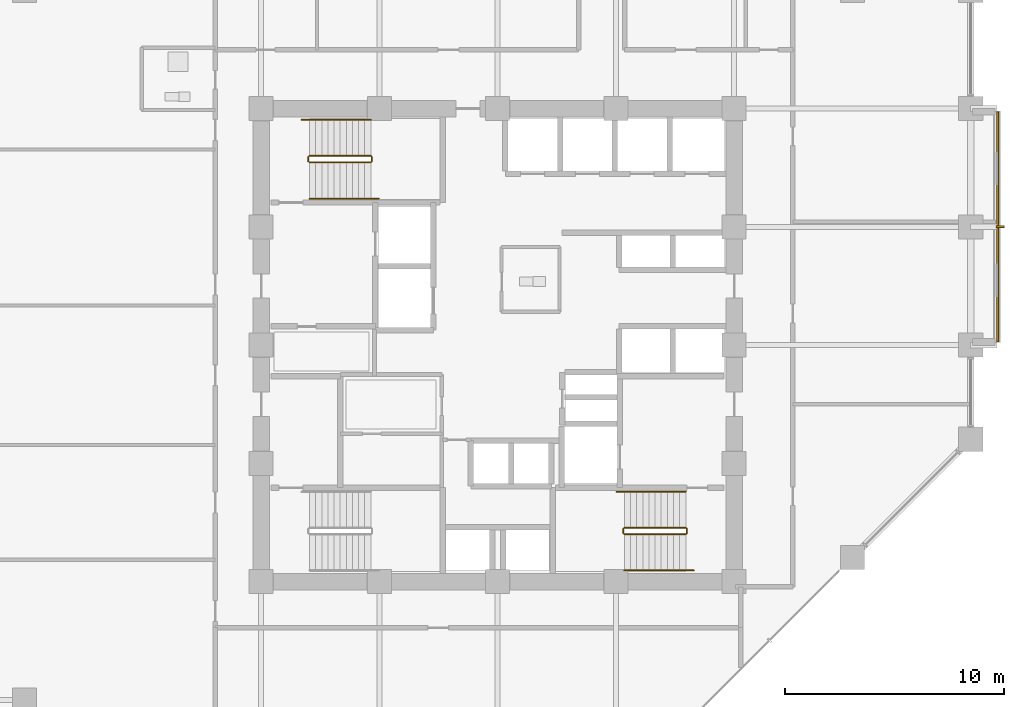
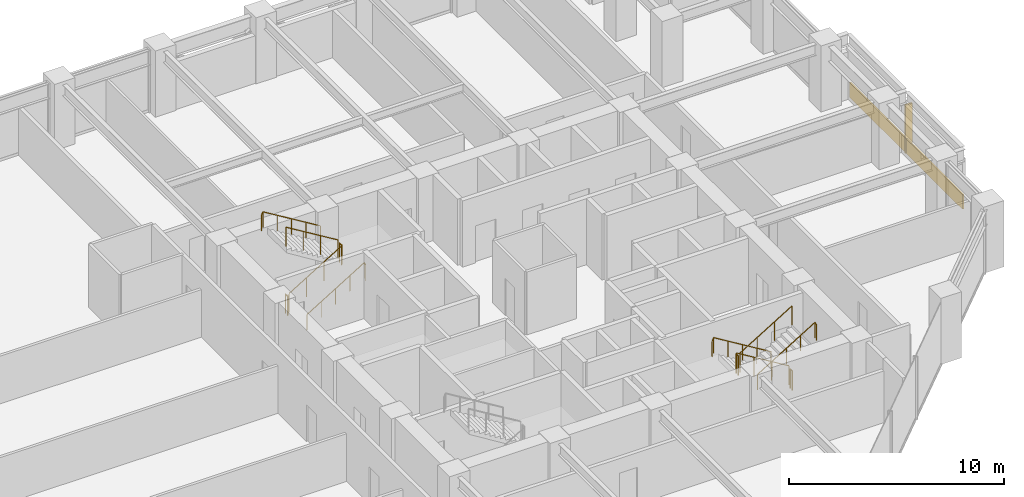
# One storey, part 24 of 25: 12 railings, 1 covering, 1 shading device.
"""IFC4 building model written with IfcOpenShell, lengths in metres."""

from ifc_helpers import new_model, si_unit, direction, frame, origin, origin_2d, place, context, subcontext, project, spatial, rectangle, circle, extrude, material, layer, layer_set, type_object, element, save


model = new_model("IFC4")

# Units and contexts
model_context = context("Model", 3, precision=1e-05, world=origin(), true_north=direction((0.0, 1.0)))
body_context = subcontext(model_context, "Body", "Model", "MODEL_VIEW")
ifc_project = project(units=[si_unit("LENGTHUNIT", "METRE"), si_unit("AREAUNIT", "SQUARE_METRE"), si_unit("VOLUMEUNIT", "CUBIC_METRE"), si_unit("PLANEANGLEUNIT", "RADIAN"), si_unit("MASSUNIT", "GRAM", prefix="KILO")], contexts=[model_context])

# Site, building, storey
site_placement = place(None, origin())
site = spatial("IfcSite", under=ifc_project, at=site_placement, CompositionType="ELEMENT")
building_placement = place(site_placement, origin())
building = spatial("IfcBuilding", under=site, at=building_placement, Name="Surkhivell Harbour Commons", CompositionType="ELEMENT")
storey_placement = place(building_placement, frame((0.0, 0.0, 98.25)))
storey = spatial("IfcBuildingStorey", under=building, at=storey_placement, Name="L25", CompositionType="ELEMENT", Elevation=98.25)

# Covering
ifc_material_1 = material(Name="Emerald-teal enamelled aluminium cassette panel", Category="aluminium")
ifc_layer = layer(ifc_material_1, 0.068115234375)
ifc_layer_set = layer_set([ifc_layer], Name="Emerald-teal enamelled aluminium cassette panel")
covering_type = type_object("IfcCoveringType", Name="COV-CLAD-EME", PredefinedType="CLADDING", material=ifc_layer_set)
covering_placement = place(storey_placement, frame((22.840087890625, 5.39990234375, 0.0), z_axis=(0.0, 0.0, 1.0), x_axis=(1.0, 0.0, 0.0)))
element("IfcCovering", 1, at=covering_placement, inside=storey, type_object=covering_type, Name="L25 Coloured-Panel Box Spandrel Cassette 01", PredefinedType="CLADDING", context=body_context, shape_type="SweptSolid", body=[
    extrude(rectangle(XDim=0.080078125, YDim=10.5, at=origin_2d()), origin(), (0.0, 0.0, 1.0), 0.840087890625),
])

# Railings
ifc_material_2 = material(Name="Galvanised and painted steel S355 guard rail", Category="steel")
railing_type_1 = type_object("IfcRailingType", Name="RAL-ST-GRD1100", PredefinedType="GUARDRAIL", material=ifc_material_2)
railing_1_placement = place(storey_placement, frame((-8.590087890625, 8.340087890625, 0.17041015625)))
element("IfcRailing", 2, at=railing_1_placement, inside=storey, type_object=railing_type_1, Name="L25 ST1 stair guard 1", PredefinedType="GUARDRAIL", context=body_context, shape_type="SweptSolid", body=[
    extrude(circle(Radius=0.02392578125, at=origin_2d()), frame((0.0, 0.0, 1.076171875), z_axis=(0.854169791009, 0.0, 0.51999420009), x_axis=(0.0, 1.0, 0.0)), (0.0, 0.0, 1.0), 3.278076171875),
    extrude(circle(Radius=0.02099609375, at=origin_2d()), origin(), (0.0, 0.0, 1.0), 1.052001953125),
    extrude(circle(Radius=0.02099609375, at=origin_2d()), frame((0.933349609375, 0.0, 0.568115234375)), (0.0, 0.0, 1.0), 1.052001953125),
    extrude(circle(Radius=0.02099609375, at=origin_2d()), frame((1.86669921875, 0.0, 1.136474609375)), (0.0, 0.0, 1.0), 1.052001953125),
    extrude(circle(Radius=0.02099609375, at=origin_2d()), frame((2.800048828125, 0.0, 1.70458984375)), (0.0, 0.0, 1.0), 1.052001953125),
])
railing_2_placement = place(storey_placement, frame((-5.739990234375, 8.389892578125, 1.875)))
element("IfcRailing", 3, at=railing_2_placement, inside=storey, type_object=railing_type_1, Name="L25 ST1 stair guard 2", PredefinedType="GUARDRAIL", context=body_context, shape_type="SweptSolid", body=[
    extrude(circle(Radius=0.02392578125, at=origin_2d()), frame((0.0, 0.0, 1.076171875), z_axis=(0.0, 1.0, 0.0), x_axis=(-1.0, 0.0, 0.0)), (0.0, 0.0, 1.0), 0.2001953125),
    extrude(circle(Radius=0.02099609375, at=origin_2d()), origin(), (0.0, 0.0, 1.0), 1.052001953125),
    extrude(circle(Radius=0.02099609375, at=origin_2d()), frame((0.0, 0.2001953125, 0.0)), (0.0, 0.0, 1.0), 1.052001953125),
])
railing_3_placement = place(storey_placement, frame((-5.7900390625, 8.639892578125, 2.04541015625)))
element("IfcRailing", 4, at=railing_3_placement, inside=storey, type_object=railing_type_1, Name="L25 ST1 stair guard 3", PredefinedType="GUARDRAIL", context=body_context, shape_type="SweptSolid", body=[
    extrude(circle(Radius=0.02392578125, at=origin_2d()), frame((0.0, 0.0, 1.076171875), z_axis=(-0.854169791009, 0.0, 0.51999420009), x_axis=(0.0, -1.0, 0.0)), (0.0, 0.0, 1.0), 3.278076171875),
    extrude(circle(Radius=0.02099609375, at=origin_2d()), origin(), (0.0, 0.0, 1.0), 1.052001953125),
    extrude(circle(Radius=0.02099609375, at=origin_2d()), frame((-0.933349609375, 0.0, 0.568115234375)), (0.0, 0.0, 1.0), 1.052001953125),
    extrude(circle(Radius=0.02099609375, at=origin_2d()), frame((-1.86669921875, 0.0, 1.136474609375)), (0.0, 0.0, 1.0), 1.052001953125),
    extrude(circle(Radius=0.02099609375, at=origin_2d()), frame((-2.800048828125, 0.0, 1.70458984375)), (0.0, 0.0, 1.0), 1.052001953125),
])
railing_4_placement = place(storey_placement, frame((-8.639892578125, 8.389892578125, 0.0)))
element("IfcRailing", 5, at=railing_4_placement, inside=storey, type_object=railing_type_1, Name="L25 ST1 stair guard 4", PredefinedType="GUARDRAIL", context=body_context, shape_type="SweptSolid", body=[
    extrude(circle(Radius=0.02392578125, at=origin_2d()), frame((0.0, 0.0, 1.076171875), z_axis=(0.0, 1.0, 0.0), x_axis=(-1.0, 0.0, 0.0)), (0.0, 0.0, 1.0), 0.2001953125),
    extrude(circle(Radius=0.02099609375, at=origin_2d()), origin(), (0.0, 0.0, 1.0), 1.052001953125),
    extrude(circle(Radius=0.02099609375, at=origin_2d()), frame((0.0, 0.2001953125, 0.0)), (0.0, 0.0, 1.0), 1.052001953125),
])
railing_5_placement = place(storey_placement, frame((8.590087890625, -8.340087890625, 0.17041015625)))
element("IfcRailing", 6, at=railing_5_placement, inside=storey, type_object=railing_type_1, Name="L25 ST2 stair guard 1", PredefinedType="GUARDRAIL", context=body_context, shape_type="SweptSolid", body=[
    extrude(circle(Radius=0.02392578125, at=origin_2d()), frame((0.0, 0.0, 1.076171875), z_axis=(-0.854169791009, 0.0, 0.51999420009), x_axis=(0.0, -1.0, 0.0)), (0.0, 0.0, 1.0), 3.278076171875),
    extrude(circle(Radius=0.02099609375, at=origin_2d()), origin(), (0.0, 0.0, 1.0), 1.052001953125),
    extrude(circle(Radius=0.02099609375, at=origin_2d()), frame((-0.933349609375, 0.0, 0.568115234375)), (0.0, 0.0, 1.0), 1.052001953125),
    extrude(circle(Radius=0.02099609375, at=origin_2d()), frame((-1.86669921875, 0.0, 1.136474609375)), (0.0, 0.0, 1.0), 1.052001953125),
    extrude(circle(Radius=0.02099609375, at=origin_2d()), frame((-2.800048828125, 0.0, 1.70458984375)), (0.0, 0.0, 1.0), 1.052001953125),
])
railing_6_placement = place(storey_placement, frame((5.739990234375, -8.389892578125, 1.875)))
element("IfcRailing", 7, at=railing_6_placement, inside=storey, type_object=railing_type_1, Name="L25 ST2 stair guard 2", PredefinedType="GUARDRAIL", context=body_context, shape_type="SweptSolid", body=[
    extrude(circle(Radius=0.02392578125, at=origin_2d()), frame((0.0, 0.0, 1.076171875), z_axis=(0.0, -1.0, 0.0), x_axis=(1.0, 0.0, 0.0)), (0.0, 0.0, 1.0), 0.2001953125),
    extrude(circle(Radius=0.02099609375, at=origin_2d()), origin(), (0.0, 0.0, 1.0), 1.052001953125),
    extrude(circle(Radius=0.02099609375, at=origin_2d()), frame((0.0, -0.2001953125, 0.0)), (0.0, 0.0, 1.0), 1.052001953125),
])
railing_7_placement = place(storey_placement, frame((5.7900390625, -8.639892578125, 2.04541015625)))
element("IfcRailing", 8, at=railing_7_placement, inside=storey, type_object=railing_type_1, Name="L25 ST2 stair guard 3", PredefinedType="GUARDRAIL", context=body_context, shape_type="SweptSolid", body=[
    extrude(circle(Radius=0.02392578125, at=origin_2d()), frame((0.0, 0.0, 1.076171875), z_axis=(0.854169791009, 0.0, 0.51999420009), x_axis=(0.0, 1.0, 0.0)), (0.0, 0.0, 1.0), 3.278076171875),
    extrude(circle(Radius=0.02099609375, at=origin_2d()), origin(), (0.0, 0.0, 1.0), 1.052001953125),
    extrude(circle(Radius=0.02099609375, at=origin_2d()), frame((0.933349609375, 0.0, 0.568115234375)), (0.0, 0.0, 1.0), 1.052001953125),
    extrude(circle(Radius=0.02099609375, at=origin_2d()), frame((1.86669921875, 0.0, 1.136474609375)), (0.0, 0.0, 1.0), 1.052001953125),
    extrude(circle(Radius=0.02099609375, at=origin_2d()), frame((2.800048828125, 0.0, 1.70458984375)), (0.0, 0.0, 1.0), 1.052001953125),
])
railing_8_placement = place(storey_placement, frame((8.639892578125, -8.389892578125, 0.0)))
element("IfcRailing", 9, at=railing_8_placement, inside=storey, type_object=railing_type_1, Name="L25 ST2 stair guard 4", PredefinedType="GUARDRAIL", context=body_context, shape_type="SweptSolid", body=[
    extrude(circle(Radius=0.02392578125, at=origin_2d()), frame((0.0, 0.0, 1.076171875), z_axis=(0.0, -1.0, 0.0), x_axis=(1.0, 0.0, 0.0)), (0.0, 0.0, 1.0), 0.2001953125),
    extrude(circle(Radius=0.02099609375, at=origin_2d()), origin(), (0.0, 0.0, 1.0), 1.052001953125),
    extrude(circle(Radius=0.02099609375, at=origin_2d()), frame((0.0, -0.2001953125, 0.0)), (0.0, 0.0, 1.0), 1.052001953125),
])
ifc_material_3 = material(Name="Brushed stainless steel S355 handrail", Category="steel")
railing_type_2 = type_object("IfcRailingType", Name="RAL-ST-HND900", PredefinedType="HANDRAIL", material=ifc_material_3)
railing_9_placement = place(storey_placement, frame((-8.590087890625, 6.68994140625, 0.17041015625)))
element("IfcRailing", 10, at=railing_9_placement, inside=storey, type_object=railing_type_2, Name="L25 ST1 stair handrail 1", PredefinedType="HANDRAIL", context=body_context, shape_type="SweptSolid", body=[
    extrude(circle(Radius=0.02392578125, at=origin_2d()), frame((0.0, 0.0, 0.8759765625), z_axis=(0.854177636135, 0.0, 0.519981313056), x_axis=(0.0, 1.0, 0.0)), (0.0, 0.0, 1.0), 3.60595703125),
    extrude(circle(Radius=0.02392578125, at=origin_2d()), frame((3.080078125, 0.0, 2.7509765625), z_axis=(0.425297416671, 0.0, -0.905053648892), x_axis=(0.0, 1.0, 0.0)), (0.0, 0.0, 1.0), 0.188232421875),
    extrude(circle(Radius=0.02099609375, at=origin_2d()), origin(), (0.0, 0.0, 1.0), 0.851806640625),
    extrude(circle(Radius=0.02099609375, at=origin_2d()), frame((0.77001953125, 0.0, 0.46875)), (0.0, 0.0, 1.0), 0.851806640625),
    extrude(circle(Radius=0.02099609375, at=origin_2d()), frame((1.5400390625, 0.0, 0.9375)), (0.0, 0.0, 1.0), 0.851806640625),
    extrude(circle(Radius=0.02099609375, at=origin_2d()), frame((2.31005859375, 0.0, 1.40625)), (0.0, 0.0, 1.0), 0.851806640625),
    extrude(circle(Radius=0.02099609375, at=origin_2d()), frame((3.080078125, 0.0, 1.875)), (0.0, 0.0, 1.0), 0.851806640625),
    extrude(circle(Radius=0.02099609375, at=origin_2d()), frame((3.16015625, 0.0, 1.70458984375)), (0.0, 0.0, 1.0), 0.851806640625),
])
railing_10_placement = place(storey_placement, frame((-5.7900390625, 10.2900390625, 2.04541015625)))
element("IfcRailing", 11, at=railing_10_placement, inside=storey, type_object=railing_type_2, Name="L25 ST1 stair handrail 2", PredefinedType="HANDRAIL", context=body_context, shape_type="SweptSolid", body=[
    extrude(circle(Radius=0.02392578125, at=origin_2d()), frame((0.0, 0.0, 0.8759765625), z_axis=(-0.854177636135, 0.0, 0.519981313056), x_axis=(0.0, -1.0, 0.0)), (0.0, 0.0, 1.0), 3.60595703125),
    extrude(circle(Radius=0.02392578125, at=origin_2d()), frame((-3.080078125, 0.0, 2.7509765625), z_axis=(-0.424234432967, 0.0, -0.905552398199), x_axis=(0.0, -1.0, 0.0)), (0.0, 0.0, 1.0), 0.188232421875),
    extrude(circle(Radius=0.02099609375, at=origin_2d()), origin(), (0.0, 0.0, 1.0), 0.851806640625),
    extrude(circle(Radius=0.02099609375, at=origin_2d()), frame((-0.77001953125, 0.0, 0.46875)), (0.0, 0.0, 1.0), 0.851806640625),
    extrude(circle(Radius=0.02099609375, at=origin_2d()), frame((-1.5400390625, 0.0, 0.9375)), (0.0, 0.0, 1.0), 0.851806640625),
    extrude(circle(Radius=0.02099609375, at=origin_2d()), frame((-2.31005859375, 0.0, 1.40625)), (0.0, 0.0, 1.0), 0.851806640625),
    extrude(circle(Radius=0.02099609375, at=origin_2d()), frame((-3.080078125, 0.0, 1.875)), (0.0, 0.0, 1.0), 0.851806640625),
    extrude(circle(Radius=0.02099609375, at=origin_2d()), frame((-3.159912109375, 0.0, 1.70458984375)), (0.0, 0.0, 1.0), 0.851806640625),
])
railing_11_placement = place(storey_placement, frame((8.590087890625, -6.68994140625, 0.17041015625)))
element("IfcRailing", 12, at=railing_11_placement, inside=storey, type_object=railing_type_2, Name="L25 ST2 stair handrail 1", PredefinedType="HANDRAIL", context=body_context, shape_type="SweptSolid", body=[
    extrude(circle(Radius=0.02392578125, at=origin_2d()), frame((0.0, 0.0, 0.8759765625), z_axis=(-0.854177636135, 0.0, 0.519981313056), x_axis=(0.0, -1.0, 0.0)), (0.0, 0.0, 1.0), 3.60595703125),
    extrude(circle(Radius=0.02392578125, at=origin_2d()), frame((-3.080078125, 0.0, 2.7509765625), z_axis=(-0.425297416671, 0.0, -0.905053648892), x_axis=(0.0, -1.0, 0.0)), (0.0, 0.0, 1.0), 0.188232421875),
    extrude(circle(Radius=0.02099609375, at=origin_2d()), origin(), (0.0, 0.0, 1.0), 0.851806640625),
    extrude(circle(Radius=0.02099609375, at=origin_2d()), frame((-0.77001953125, 0.0, 0.46875)), (0.0, 0.0, 1.0), 0.851806640625),
    extrude(circle(Radius=0.02099609375, at=origin_2d()), frame((-1.5400390625, 0.0, 0.9375)), (0.0, 0.0, 1.0), 0.851806640625),
    extrude(circle(Radius=0.02099609375, at=origin_2d()), frame((-2.31005859375, 0.0, 1.40625)), (0.0, 0.0, 1.0), 0.851806640625),
    extrude(circle(Radius=0.02099609375, at=origin_2d()), frame((-3.080078125, 0.0, 1.875)), (0.0, 0.0, 1.0), 0.851806640625),
    extrude(circle(Radius=0.02099609375, at=origin_2d()), frame((-3.16015625, 0.0, 1.70458984375)), (0.0, 0.0, 1.0), 0.851806640625),
])
railing_12_placement = place(storey_placement, frame((5.7900390625, -10.2900390625, 2.04541015625)))
element("IfcRailing", 13, at=railing_12_placement, inside=storey, type_object=railing_type_2, Name="L25 ST2 stair handrail 2", PredefinedType="HANDRAIL", context=body_context, shape_type="SweptSolid", body=[
    extrude(circle(Radius=0.02392578125, at=origin_2d()), frame((0.0, 0.0, 0.8759765625), z_axis=(0.854177636135, 0.0, 0.519981313056), x_axis=(0.0, 1.0, 0.0)), (0.0, 0.0, 1.0), 3.60595703125),
    extrude(circle(Radius=0.02392578125, at=origin_2d()), frame((3.080078125, 0.0, 2.7509765625), z_axis=(0.424234432967, 0.0, -0.905552398199), x_axis=(0.0, 1.0, 0.0)), (0.0, 0.0, 1.0), 0.188232421875),
    extrude(circle(Radius=0.02099609375, at=origin_2d()), origin(), (0.0, 0.0, 1.0), 0.851806640625),
    extrude(circle(Radius=0.02099609375, at=origin_2d()), frame((0.77001953125, 0.0, 0.46875)), (0.0, 0.0, 1.0), 0.851806640625),
    extrude(circle(Radius=0.02099609375, at=origin_2d()), frame((1.5400390625, 0.0, 0.9375)), (0.0, 0.0, 1.0), 0.851806640625),
    extrude(circle(Radius=0.02099609375, at=origin_2d()), frame((2.31005859375, 0.0, 1.40625)), (0.0, 0.0, 1.0), 0.851806640625),
    extrude(circle(Radius=0.02099609375, at=origin_2d()), frame((3.080078125, 0.0, 1.875)), (0.0, 0.0, 1.0), 0.851806640625),
    extrude(circle(Radius=0.02099609375, at=origin_2d()), frame((3.159912109375, 0.0, 1.70458984375)), (0.0, 0.0, 1.0), 0.851806640625),
])

# Shading device
ifc_material_4 = material(Name="Anodised pale-metal aluminium solar fin", Category="aluminium")
shading_device_type = type_object("IfcShadingDeviceType", Name="SHD-FIN-VERT", PredefinedType="USERDEFINED", material=ifc_material_4)
shading_device_placement = place(storey_placement, frame((22.93994140625, 5.39990234375, 0.0048828125), z_axis=(0.0, 0.0, 1.0), x_axis=(1.0, 0.0, 0.0)))
element("IfcShadingDevice", 14, at=shading_device_placement, inside=storey, type_object=shading_device_type, Name="L25 Coloured-Box Solar Fin 01", ObjectType="FIN", PredefinedType="USERDEFINED", context=body_context, shape_type="SweptSolid", body=[
    extrude(rectangle(XDim=0.360107421875, YDim=0.090087890625, at=origin_2d()), origin(), (0.0, 0.0, 1.0), 2.75),
])

save(model, "model.ifc")
